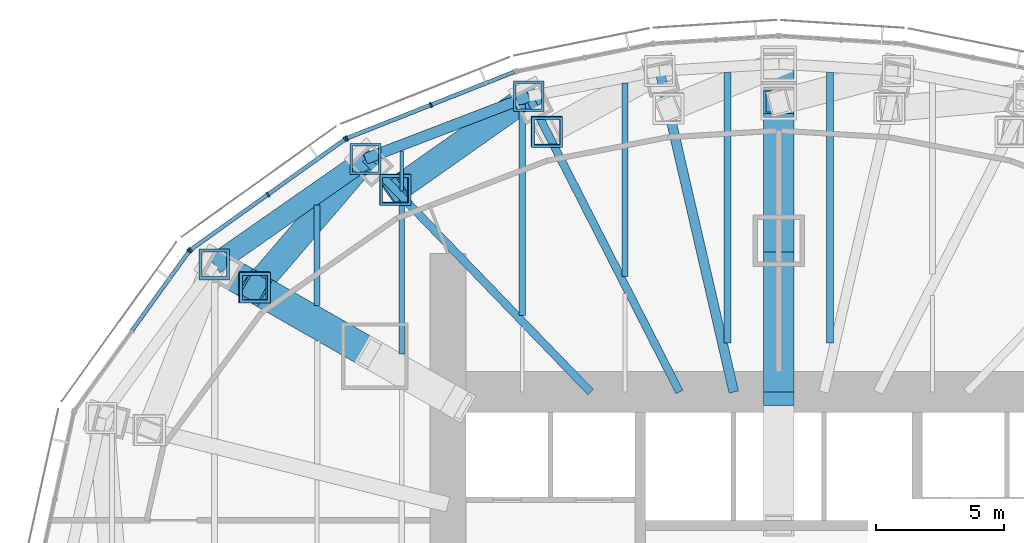
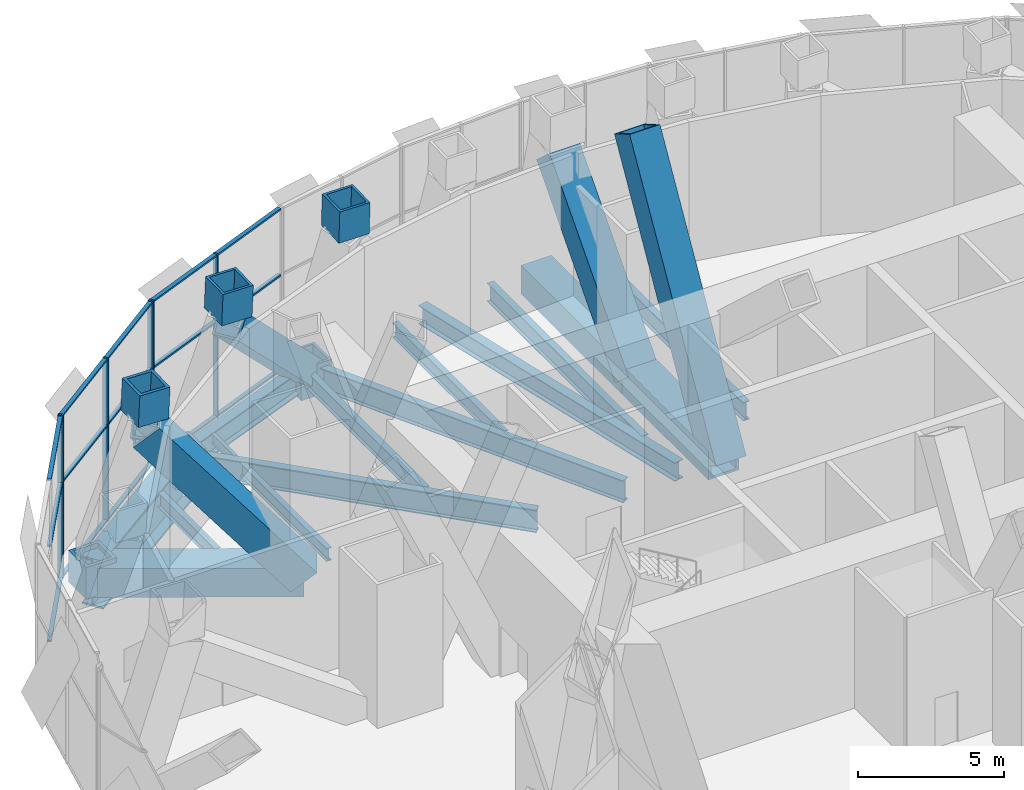
# One storey, part 8 of 19: 32 members, 15 beams, 3 elements without a shape of their own.
"""IFC4 building model written with IfcOpenShell, lengths in metres."""

from ifc_helpers import new_model, si_unit, direction, frame, origin, origin_2d, place, context, subcontext, project, spatial, rectangle, hollow_rectangle, i_section, extrude, material, material_profile, profile_set, type_object, element, aggregate, save


model = new_model("IFC4")

# Units and contexts
model_context = context("Model", 3, precision=1e-05, world=origin(), true_north=direction((0.0, 1.0)))
body_context = subcontext(model_context, "Body", "Model", "MODEL_VIEW")
ifc_project = project(units=[si_unit("LENGTHUNIT", "METRE"), si_unit("AREAUNIT", "SQUARE_METRE"), si_unit("VOLUMEUNIT", "CUBIC_METRE"), si_unit("PLANEANGLEUNIT", "RADIAN"), si_unit("MASSUNIT", "GRAM", prefix="KILO")], contexts=[model_context])

# Site, building, storey
site_placement = place(None, origin())
site = spatial("IfcSite", under=ifc_project, at=site_placement, CompositionType="ELEMENT")
building_placement = place(site_placement, origin())
building = spatial("IfcBuilding", under=site, at=building_placement, Name="Lantaw Convention Tower", CompositionType="ELEMENT")
storey_placement = place(building_placement, frame((0.0, 0.0, 193.0)))
storey = spatial("IfcBuildingStorey", under=building, at=storey_placement, Name="L45", CompositionType="ELEMENT", Elevation=193.0)

# Beams
ifc_material_1 = material(Name="Steel ASTM A572 Grade 50", Category="steel")
ifc_material_profile_1 = material_profile(ifc_material_1, i_section(OverallWidth=0.800048828125, OverallDepth=2.0, WebThickness=0.030029296875, FlangeThickness=0.080078125, at=origin_2d()), Name="PG2000X800X30X80")
ifc_profile_set_1 = profile_set([ifc_material_profile_1], Name="Steel ASTM A572 Grade 50")
beam_type_1 = type_object("IfcBeamType", Name="Beam BC PG2000X800X30X80", PredefinedType="SPANDREL", material=ifc_profile_set_1)
beam_1_placement = place(storey_placement, frame((-16.11767578125, 16.690185546875, -1.199951171875), z_axis=(-0.820310765287, -0.57191804339, 0.0), x_axis=(0.57191804339, -0.820310765287, 0.0)))
element("IfcBeam", 1, at=beam_1_placement, inside=storey, type_object=beam_type_1, Name="Belt truss chord 10", PredefinedType="SPANDREL", context=body_context, shape_type="SweptSolid", body=[
    extrude(i_section(OverallWidth=0.800048828125, OverallDepth=2.0, WebThickness=0.030029296875, FlangeThickness=0.080078125, at=origin_2d()), origin(), (0.0, 0.0, 1.0), 7.187744140625),
])
ifc_material_2 = material(Name="Steel ASTM A992", Category="steel")
ifc_material_profile_2 = material_profile(ifc_material_2, i_section(OverallWidth=0.424072265625, OverallDepth=0.947509765625, WebThickness=0.02392578125, FlangeThickness=0.042724609375, FilletRadius=0.012451171875, at=origin_2d()), Name="W36X302")
ifc_profile_set_2 = profile_set([ifc_material_profile_2], Name="Steel ASTM A992")
beam_type_2 = type_object("IfcBeamType", Name="Beam BC W36X302", PredefinedType="SPANDREL", material=ifc_profile_set_2)
beam_2_placement = place(storey_placement, frame((-9.74853515625, 19.1328125, -0.673828125), z_axis=(-0.933691081977, -0.358079549033, 0.0), x_axis=(0.358079549033, -0.933691081977, 0.0)))
element("IfcBeam", 2, at=beam_2_placement, inside=storey, type_object=beam_type_2, Name="Belt truss chord 9", PredefinedType="SPANDREL", context=body_context, shape_type="SweptSolid", body=[
    extrude(i_section(OverallWidth=0.424072265625, OverallDepth=0.947509765625, WebThickness=0.02392578125, FlangeThickness=0.042724609375, FilletRadius=0.012451171875, at=origin_2d()), origin(), (0.0, 0.0, 1.0), 6.821533203125),
])
ifc_material_3 = material(Name="Steel EN 10025-3 S460N", Category="steel")
ifc_material_profile_3 = material_profile(ifc_material_3, hollow_rectangle(XDim=1.199951171875, YDim=1.199951171875, WallThickness=0.10009765625, at=origin_2d()), Name="BOX1200X100")
ifc_profile_set_3 = profile_set([ifc_material_profile_3], Name="Steel EN 10025-3 S460N")
beam_type_3 = type_object("IfcBeamType", Name="Beam G BOX1200X100", PredefinedType="BEAM", material=ifc_profile_set_3)
beam_3_placement = place(storey_placement, frame((0.0, 13.5, -0.800048828125), z_axis=(0.0, 1.0, 0.0), x_axis=(-1.0, 0.0, 0.0)))
element("IfcBeam", 3, at=beam_3_placement, inside=storey, type_object=beam_type_3, Name="Floor girder on ray 7", PredefinedType="BEAM", context=body_context, shape_type="SweptSolid", body=[
    extrude(hollow_rectangle(XDim=1.199951171875, YDim=1.199951171875, WallThickness=0.10009765625, at=origin_2d()), origin(), (0.0, 0.0, 1.0), 6.89990234375),
])
beam_4_placement = place(storey_placement, frame((-15.75, 9.0, -0.800048828125), z_axis=(-0.868245224608, 0.496135293993, 0.0), x_axis=(-0.496135293993, -0.868245224608, 0.0)))
element("IfcBeam", 4, at=beam_4_placement, inside=storey, type_object=beam_type_3, Name="Floor girder on ray 11", PredefinedType="BEAM", context=body_context, shape_type="SweptSolid", body=[
    extrude(hollow_rectangle(XDim=1.199951171875, YDim=1.199951171875, WallThickness=0.10009765625, at=origin_2d()), origin(), (0.0, 0.0, 1.0), 7.21435546875),
])
ifc_material_profile_4 = material_profile(ifc_material_2, i_section(OverallWidth=0.381103515625, OverallDepth=0.772216796875, WebThickness=0.0166015625, FlangeThickness=0.027099609375, FilletRadius=0.0146484375, at=origin_2d()), Name="W30X173")
ifc_profile_set_4 = profile_set([ifc_material_profile_4], Name="Steel ASTM A992")
beam_type_4 = type_object("IfcBeamType", Name="Beam G W30X173", PredefinedType="BEAM", material=ifc_profile_set_4)
beam_5_placement = place(storey_placement, frame((-1.754638671875, 7.60009765625, -0.586181640625), z_axis=(-0.224944153104, 0.974371658036, 0.0), x_axis=(-0.974371658036, -0.224944153104, 0.0)))
element("IfcBeam", 5, at=beam_5_placement, inside=storey, type_object=beam_type_4, Name="Floor girder on ray 8", PredefinedType="BEAM", context=body_context, shape_type="SweptSolid", body=[
    extrude(i_section(OverallWidth=0.381103515625, OverallDepth=0.772216796875, WebThickness=0.0166015625, FlangeThickness=0.027099609375, FilletRadius=0.0146484375, at=origin_2d()), origin(), (0.0, 0.0, 1.0), 12.849365234375),
])
ifc_material_profile_5 = material_profile(ifc_material_2, i_section(OverallWidth=0.307373046875, OverallDepth=0.922119140625, WebThickness=0.018310546875, FlangeThickness=0.030029296875, FilletRadius=0.0126953125, at=origin_2d()), Name="W36X182")
ifc_profile_set_5 = profile_set([ifc_material_profile_5], Name="Steel ASTM A992")
beam_type_5 = type_object("IfcBeamType", Name="Beam G W36X182", PredefinedType="BEAM", material=ifc_profile_set_5)
beam_6_placement = place(storey_placement, frame((-3.872314453125, 7.60009765625, -0.660888671875), z_axis=(-0.453991051051, 0.891006243281, 0.0), x_axis=(-0.891006243281, -0.453991051051, 0.0)))
element("IfcBeam", 6, at=beam_6_placement, inside=storey, type_object=beam_type_5, Name="Floor girder on ray 9", PredefinedType="BEAM", context=body_context, shape_type="SweptSolid", body=[
    extrude(i_section(OverallWidth=0.307373046875, OverallDepth=0.922119140625, WebThickness=0.018310546875, FlangeThickness=0.030029296875, FilletRadius=0.0126953125, at=origin_2d()), origin(), (0.0, 0.0, 1.0), 12.943359375),
])
ifc_material_profile_6 = material_profile(ifc_material_2, i_section(OverallWidth=0.307373046875, OverallDepth=0.9423828125, WebThickness=0.022216796875, FlangeThickness=0.039794921875, FilletRadius=0.0126953125, at=origin_2d()), Name="W36X232")
ifc_profile_set_6 = profile_set([ifc_material_profile_6], Name="Steel ASTM A992")
beam_type_6 = type_object("IfcBeamType", Name="Beam G W36X232", PredefinedType="BEAM", material=ifc_profile_set_6)
beam_7_placement = place(storey_placement, frame((-7.33935546875, 7.60009765625, -0.671142578125), z_axis=(-0.694663467407, 0.719334878239, 0.0), x_axis=(-0.719334878239, -0.694663467407, 0.0)))
element("IfcBeam", 7, at=beam_7_placement, inside=storey, type_object=beam_type_6, Name="Floor girder on ray 10", PredefinedType="BEAM", context=body_context, shape_type="SweptSolid", body=[
    extrude(i_section(OverallWidth=0.307373046875, OverallDepth=0.9423828125, WebThickness=0.022216796875, FlangeThickness=0.039794921875, FilletRadius=0.0126953125, at=origin_2d()), origin(), (0.0, 0.0, 1.0), 12.63671875),
])
ifc_material_profile_7 = material_profile(ifc_material_2, i_section(OverallWidth=0.140380859375, OverallDepth=0.40380859375, WebThickness=0.007080078125, FlangeThickness=0.01123046875, FilletRadius=0.01025390625, at=origin_2d()), Name="W16X31")
ifc_profile_set_7 = profile_set([ifc_material_profile_7], Name="Steel ASTM A992")
beam_type_7 = type_object("IfcBeamType", Name="Beam J W16X31", PredefinedType="JOIST", material=ifc_profile_set_7)
beam_8_placement = place(storey_placement, frame((-14.699951171875, 15.443603515625, -0.40185546875), z_axis=(0.0, 1.0, 0.0), x_axis=(-1.0, 0.0, 0.0)))
element("IfcBeam", 8, at=beam_8_placement, inside=storey, type_object=beam_type_7, Name="Floor joist", PredefinedType="JOIST", context=body_context, shape_type="SweptSolid", body=[
    extrude(i_section(OverallWidth=0.140380859375, OverallDepth=0.40380859375, WebThickness=0.007080078125, FlangeThickness=0.01123046875, FilletRadius=0.01025390625, at=origin_2d()), origin(), (0.0, 0.0, 1.0), 1.563232421875),
])
ifc_material_profile_8 = material_profile(ifc_material_2, i_section(OverallWidth=0.2099609375, OverallDepth=0.535888671875, WebThickness=0.010986328125, FlangeThickness=0.017333984375, FilletRadius=0.012939453125, at=origin_2d()), Name="W21X68")
ifc_profile_set_8 = profile_set([ifc_material_profile_8], Name="Steel ASTM A992")
beam_type_8 = type_object("IfcBeamType", Name="Beam J W21X68", PredefinedType="JOIST", material=ifc_profile_set_8)
beam_9_placement = place(storey_placement, frame((-14.699951171875, 9.091064453125, -0.468017578125), z_axis=(0.0, 1.0, 0.0), x_axis=(-1.0, 0.0, 0.0)))
element("IfcBeam", 9, at=beam_9_placement, inside=storey, type_object=beam_type_8, Name="Floor joist", PredefinedType="JOIST", context=body_context, shape_type="SweptSolid", body=[
    extrude(i_section(OverallWidth=0.2099609375, OverallDepth=0.535888671875, WebThickness=0.010986328125, FlangeThickness=0.017333984375, FilletRadius=0.012939453125, at=origin_2d()), origin(), (0.0, 0.0, 1.0), 5.909912109375),
])
ifc_material_profile_9 = material_profile(ifc_material_2, i_section(OverallWidth=0.227783203125, OverallDepth=0.60205078125, WebThickness=0.010498046875, FlangeThickness=0.014892578125, FilletRadius=0.012939453125, at=origin_2d()), Name="W24X68")
ifc_profile_set_9 = profile_set([ifc_material_profile_9], Name="Steel ASTM A992")
beam_type_9 = type_object("IfcBeamType", Name="Beam J W24X68", PredefinedType="JOIST", material=ifc_profile_set_9)
beam_10_placement = place(storey_placement, frame((-18.0, 10.976806640625, -0.5009765625), z_axis=(0.0, 1.0, 0.0), x_axis=(-1.0, 0.0, 0.0)))
element("IfcBeam", 10, at=beam_10_placement, inside=storey, type_object=beam_type_9, Name="Floor joist", PredefinedType="JOIST", context=body_context, shape_type="SweptSolid", body=[
    extrude(i_section(OverallWidth=0.227783203125, OverallDepth=0.60205078125, WebThickness=0.010498046875, FlangeThickness=0.014892578125, FilletRadius=0.012939453125, at=origin_2d()), origin(), (0.0, 0.0, 1.0), 3.91357421875),
])
ifc_material_profile_10 = material_profile(ifc_material_2, i_section(OverallWidth=0.22900390625, OverallDepth=0.612060546875, WebThickness=0.011962890625, FlangeThickness=0.01953125, FilletRadius=0.0126953125, at=origin_2d()), Name="W24X84")
ifc_profile_set_10 = profile_set([ifc_material_profile_10], Name="Steel ASTM A992")
beam_type_10 = type_object("IfcBeamType", Name="Beam J W24X84", PredefinedType="JOIST", material=ifc_profile_set_10)
beam_11_placement = place(storey_placement, frame((-6.0, 12.1142578125, -0.506103515625), z_axis=(0.0, 1.0, 0.0), x_axis=(-1.0, 0.0, 0.0)))
element("IfcBeam", 11, at=beam_11_placement, inside=storey, type_object=beam_type_10, Name="Floor joist", PredefinedType="JOIST", context=body_context, shape_type="SweptSolid", body=[
    extrude(i_section(OverallWidth=0.22900390625, OverallDepth=0.612060546875, WebThickness=0.011962890625, FlangeThickness=0.01953125, FilletRadius=0.0126953125, at=origin_2d()), origin(), (0.0, 0.0, 1.0), 7.527587890625),
])
ifc_material_profile_11 = material_profile(ifc_material_2, i_section(OverallWidth=0.25390625, OverallDepth=0.683349609375, WebThickness=0.012451171875, FlangeThickness=0.01904296875, FilletRadius=0.01513671875, at=origin_2d()), Name="W27X94")
ifc_profile_set_11 = profile_set([ifc_material_profile_11], Name="Steel ASTM A992")
beam_type_11 = type_object("IfcBeamType", Name="Beam J W27X94", PredefinedType="JOIST", material=ifc_profile_set_11)
beam_12_placement = place(storey_placement, frame((-10.0, 10.576416015625, -0.541748046875), z_axis=(0.0, 1.0, 0.0), x_axis=(-1.0, 0.0, 0.0)))
element("IfcBeam", 12, at=beam_12_placement, inside=storey, type_object=beam_type_11, Name="Floor joist", PredefinedType="JOIST", context=body_context, shape_type="SweptSolid", body=[
    extrude(i_section(OverallWidth=0.25390625, OverallDepth=0.683349609375, WebThickness=0.012451171875, FlangeThickness=0.01904296875, FilletRadius=0.01513671875, at=origin_2d()), origin(), (0.0, 0.0, 1.0), 8.232666015625),
])
ifc_material_profile_12 = material_profile(ifc_material_2, i_section(OverallWidth=0.2666015625, OverallDepth=0.76953125, WebThickness=0.015625, FlangeThickness=0.025390625, FilletRadius=0.0126953125, at=origin_2d()), Name="W30X132")
ifc_profile_set_12 = profile_set([ifc_material_profile_12], Name="Steel ASTM A992")
beam_type_12 = type_object("IfcBeamType", Name="Beam J W30X132", PredefinedType="JOIST", material=ifc_profile_set_12)
for number, where, z_axis, x_axis, name in (
    (13, (-2.0, 9.509765625, -0.584716796875), (0.0, 1.0, 0.0), (-1.0, 0.0, 0.0), "Floor joist"),
    (14, (2.0, 9.509765625, -0.584716796875), (0.0, 1.0, 0.0), (-1.0, 0.0, 0.0), "Floor joist"),
):
    element("IfcBeam", number, at=place(storey_placement, frame(where, z_axis=z_axis, x_axis=x_axis)), inside=storey, type_object=beam_type_12, Name=name, PredefinedType="JOIST", context=body_context, shape_type="SweptSolid", body=[
        extrude(i_section(OverallWidth=0.2666015625, OverallDepth=0.76953125, WebThickness=0.015625, FlangeThickness=0.025390625, FilletRadius=0.0126953125, at=origin_2d()), origin(), (0.0, 0.0, 1.0), 10.55712890625),
    ])
ifc_material_profile_13 = material_profile(ifc_material_3, hollow_rectangle(XDim=1.199951171875, YDim=1.199951171875, WallThickness=0.10009765625, at=origin_2d()), Name="BOX1200X100")
ifc_profile_set_13 = profile_set([ifc_material_profile_13], Name="Steel EN 10025-3 S460N")
beam_type_13 = type_object("IfcBeamType", Name="Beam OC BOX1200X100", PredefinedType="BEAM", material=ifc_profile_set_13)
beam_13_placement = place(storey_placement, frame((0.0, 7.60009765625, -0.800048828125), z_axis=(0.0, 1.0, 0.0), x_axis=(-1.0, 0.0, 0.0)))
element("IfcBeam", 15, at=beam_13_placement, inside=storey, type_object=beam_type_13, Name="Outrigger chord on ray 7", PredefinedType="BEAM", context=body_context, shape_type="SweptSolid", body=[
    extrude(hollow_rectangle(XDim=1.199951171875, YDim=1.199951171875, WallThickness=0.10009765625, at=origin_2d()), origin(), (0.0, 0.0, 1.0), 5.89990234375),
])

# Curtain wall, members
ifc_material_4 = material(Name="Aluminium framed curtain wall", Category="aluminium")
curtain_wall_type = type_object("IfcCurtainWallType", Name="Plant floor louvre wall, pale aluminium", PredefinedType="USERDEFINED", material=ifc_material_4)
curtain_wall_1_placement = place(storey_placement, origin())
curtain_wall_1 = element("IfcCurtainWall", 16, at=curtain_wall_1_placement, inside=storey, type_object=curtain_wall_type, Name="Plant floor louvre wall, pale aluminium L45", ObjectType="LOUVRE WALL", PredefinedType="USERDEFINED")
ifc_material_5 = material(Name="Aluminium 6063-T6", Category="aluminium")
ifc_material_profile_14 = material_profile(ifc_material_5, rectangle(XDim=0.199951171875, YDim=0.070068359375, at=origin_2d()), Name="CW-LV mullion 70x200")
ifc_profile_set_14 = profile_set([ifc_material_profile_14], Name="Aluminium 6063-T6")
member_type_1 = type_object("IfcMemberType", Name="CW-LV mullion 70x200", PredefinedType="MULLION", material=ifc_profile_set_14)
member_1_placement = place(storey_placement, frame((-13.56494140625, 18.797119140625, -1.0), z_axis=(0.0, 0.0, 1.0), x_axis=(0.368701907483, -0.929547687544, 0.0)))
member_1 = element("IfcMember", 17, at=member_1_placement, type_object=member_type_1, Name="CW-LV mullion 2", PredefinedType="MULLION", context=body_context, shape_type="SweptSolid", body=[
    extrude(rectangle(XDim=0.199951171875, YDim=0.070068359375, at=origin_2d()), origin(), (0.0, 0.0, 1.0), 6.800048828125),
])
member_2_placement = place(storey_placement, frame((-16.84912109375, 17.494384765625, -1.0), z_axis=(0.0, 0.0, 1.0), x_axis=(0.368701907483, -0.929547687544, 0.0)))
member_2 = element("IfcMember", 18, at=member_2_placement, type_object=member_type_1, Name="CW-LV mullion 3", PredefinedType="MULLION", context=body_context, shape_type="SweptSolid", body=[
    extrude(rectangle(XDim=0.199951171875, YDim=0.070068359375, at=origin_2d()), origin(), (0.0, 0.0, 1.0), 6.800048828125),
])

curtain_wall_2_placement = place(storey_placement, origin())
curtain_wall_2 = element("IfcCurtainWall", 19, at=curtain_wall_2_placement, inside=storey, type_object=curtain_wall_type, Name="Plant floor louvre wall, pale aluminium L45", ObjectType="LOUVRE WALL", PredefinedType="USERDEFINED")
member_3_placement = place(storey_placement, frame((-16.91015625, 17.461181640625, -1.0), z_axis=(0.0, 0.0, 1.0), x_axis=(0.581972695693, -0.813208325995, 0.0)))
member_3 = element("IfcMember", 20, at=member_3_placement, type_object=member_type_1, Name="CW-LV mullion 1", PredefinedType="MULLION", context=body_context, shape_type="SweptSolid", body=[
    extrude(rectangle(XDim=0.199951171875, YDim=0.070068359375, at=origin_2d()), origin(), (0.0, 0.0, 1.0), 6.800048828125),
])
member_4_placement = place(storey_placement, frame((-19.92529296875, 15.303466796875, -1.0), z_axis=(0.0, 0.0, 1.0), x_axis=(0.581972695693, -0.813208325995, 0.0)))
member_4 = element("IfcMember", 21, at=member_4_placement, type_object=member_type_1, Name="CW-LV mullion 2", PredefinedType="MULLION", context=body_context, shape_type="SweptSolid", body=[
    extrude(rectangle(XDim=0.199951171875, YDim=0.070068359375, at=origin_2d()), origin(), (0.0, 0.0, 1.0), 6.800048828125),
])
member_5_placement = place(storey_placement, frame((-22.940673828125, 13.1455078125, -1.0), z_axis=(0.0, 0.0, 1.0), x_axis=(0.581972695693, -0.813208325995, 0.0)))
member_5 = element("IfcMember", 22, at=member_5_placement, type_object=member_type_1, Name="CW-LV mullion 3", PredefinedType="MULLION", context=body_context, shape_type="SweptSolid", body=[
    extrude(rectangle(XDim=0.199951171875, YDim=0.070068359375, at=origin_2d()), origin(), (0.0, 0.0, 1.0), 6.800048828125),
])

# Curtain wall, member
curtain_wall_3_placement = place(storey_placement, origin())
curtain_wall_3 = element("IfcCurtainWall", 23, at=curtain_wall_3_placement, inside=storey, type_object=curtain_wall_type, Name="Plant floor louvre wall, pale aluminium L45", ObjectType="LOUVRE WALL", PredefinedType="USERDEFINED")
member_6_placement = place(storey_placement, frame((-22.989501953125, 13.0966796875, -1.0), z_axis=(0.0, 0.0, 1.0), x_axis=(0.811384633629, -0.584512597221, 0.0)))
member_6 = element("IfcMember", 24, at=member_6_placement, type_object=member_type_1, Name="CW-LV mullion 1", PredefinedType="MULLION", context=body_context, shape_type="SweptSolid", body=[
    extrude(rectangle(XDim=0.199951171875, YDim=0.070068359375, at=origin_2d()), origin(), (0.0, 0.0, 1.0), 6.800048828125),
])

# Member
ifc_material_profile_15 = material_profile(ifc_material_5, rectangle(XDim=0.159912109375, YDim=0.070068359375, at=origin_2d()), Name="CW-LV transom 70x160")
ifc_profile_set_15 = profile_set([ifc_material_profile_15], Name="Aluminium 6063-T6")
member_type_2 = type_object("IfcMemberType", Name="CW-LV transom 70x160", PredefinedType="USERDEFINED", material=ifc_profile_set_15)
member_7_placement = place(storey_placement, frame((-10.31298828125, 20.0869140625, -0.965087890625), z_axis=(-0.929552078691, -0.368690836611, 0.0), x_axis=(0.368690836611, -0.929552078691, 0.0)))
member_7 = element("IfcMember", 25, at=member_7_placement, type_object=member_type_2, Name="CW-LV transom 1.1", ObjectType="TRANSOM", PredefinedType="USERDEFINED", context=body_context, shape_type="SweptSolid", body=[
    extrude(rectangle(XDim=0.159912109375, YDim=0.070068359375, at=origin_2d()), origin(), (0.0, 0.0, 1.0), 3.463134765625),
])

member_8_placement = place(storey_placement, frame((-10.31298828125, 20.0869140625, 3.0), z_axis=(-0.929552078691, -0.368690836611, 0.0), x_axis=(0.368690836611, -0.929552078691, 0.0)))
member_8 = element("IfcMember", 26, at=member_8_placement, type_object=member_type_2, Name="CW-LV transom 1.2", ObjectType="TRANSOM", PredefinedType="USERDEFINED", context=body_context, shape_type="SweptSolid", body=[
    extrude(rectangle(XDim=0.159912109375, YDim=0.070068359375, at=origin_2d()), origin(), (0.0, 0.0, 1.0), 3.463134765625),
])

member_9_placement = place(storey_placement, frame((-10.31298828125, 20.0869140625, 5.764892578125), z_axis=(-0.929552078691, -0.368690836611, 0.0), x_axis=(0.368690836611, -0.929552078691, 0.0)))
member_9 = element("IfcMember", 27, at=member_9_placement, type_object=member_type_2, Name="CW-LV transom 1.3", ObjectType="TRANSOM", PredefinedType="USERDEFINED", context=body_context, shape_type="SweptSolid", body=[
    extrude(rectangle(XDim=0.159912109375, YDim=0.070068359375, at=origin_2d()), origin(), (0.0, 0.0, 1.0), 3.463134765625),
])

member_10_placement = place(storey_placement, frame((-13.597412109375, 18.7841796875, -0.965087890625), z_axis=(-0.929552078691, -0.368690836611, 0.0), x_axis=(0.368690836611, -0.929552078691, 0.0)))
member_10 = element("IfcMember", 28, at=member_10_placement, type_object=member_type_2, Name="CW-LV transom 2.1", ObjectType="TRANSOM", PredefinedType="USERDEFINED", context=body_context, shape_type="SweptSolid", body=[
    extrude(rectangle(XDim=0.159912109375, YDim=0.070068359375, at=origin_2d()), origin(), (0.0, 0.0, 1.0), 3.463134765625),
])

member_11_placement = place(storey_placement, frame((-13.597412109375, 18.7841796875, 3.0), z_axis=(-0.929552078691, -0.368690836611, 0.0), x_axis=(0.368690836611, -0.929552078691, 0.0)))
member_11 = element("IfcMember", 29, at=member_11_placement, type_object=member_type_2, Name="CW-LV transom 2.2", ObjectType="TRANSOM", PredefinedType="USERDEFINED", context=body_context, shape_type="SweptSolid", body=[
    extrude(rectangle(XDim=0.159912109375, YDim=0.070068359375, at=origin_2d()), origin(), (0.0, 0.0, 1.0), 3.463134765625),
])

member_12_placement = place(storey_placement, frame((-13.597412109375, 18.7841796875, 5.764892578125), z_axis=(-0.929552078691, -0.368690836611, 0.0), x_axis=(0.368690836611, -0.929552078691, 0.0)))
member_12 = element("IfcMember", 30, at=member_12_placement, type_object=member_type_2, Name="CW-LV transom 2.3", ObjectType="TRANSOM", PredefinedType="USERDEFINED", context=body_context, shape_type="SweptSolid", body=[
    extrude(rectangle(XDim=0.159912109375, YDim=0.070068359375, at=origin_2d()), origin(), (0.0, 0.0, 1.0), 3.463134765625),
])

aggregate(curtain_wall_1, [member_1, member_2, member_7, member_8, member_9, member_10, member_11, member_12])

member_13_placement = place(storey_placement, frame((-16.938720703125, 17.44091796875, -0.965087890625), z_axis=(-0.813193505493, -0.581993404278, 0.0), x_axis=(0.581993404278, -0.813193505493, 0.0)))
member_13 = element("IfcMember", 31, at=member_13_placement, type_object=member_type_2, Name="CW-LV transom 1.1", ObjectType="TRANSOM", PredefinedType="USERDEFINED", context=body_context, shape_type="SweptSolid", body=[
    extrude(rectangle(XDim=0.159912109375, YDim=0.070068359375, at=origin_2d()), origin(), (0.0, 0.0, 1.0), 3.637939453125),
])

member_14_placement = place(storey_placement, frame((-16.938720703125, 17.44091796875, 3.0), z_axis=(-0.813193505493, -0.581993404278, 0.0), x_axis=(0.581993404278, -0.813193505493, 0.0)))
member_14 = element("IfcMember", 32, at=member_14_placement, type_object=member_type_2, Name="CW-LV transom 1.2", ObjectType="TRANSOM", PredefinedType="USERDEFINED", context=body_context, shape_type="SweptSolid", body=[
    extrude(rectangle(XDim=0.159912109375, YDim=0.070068359375, at=origin_2d()), origin(), (0.0, 0.0, 1.0), 3.637939453125),
])

member_15_placement = place(storey_placement, frame((-16.938720703125, 17.44091796875, 5.764892578125), z_axis=(-0.813193505493, -0.581993404278, 0.0), x_axis=(0.581993404278, -0.813193505493, 0.0)))
member_15 = element("IfcMember", 33, at=member_15_placement, type_object=member_type_2, Name="CW-LV transom 1.3", ObjectType="TRANSOM", PredefinedType="USERDEFINED", context=body_context, shape_type="SweptSolid", body=[
    extrude(rectangle(XDim=0.159912109375, YDim=0.070068359375, at=origin_2d()), origin(), (0.0, 0.0, 1.0), 3.637939453125),
])

member_16_placement = place(storey_placement, frame((-19.953857421875, 15.282958984375, -0.965087890625), z_axis=(-0.813225267736, -0.58194902175, 0.0), x_axis=(0.58194902175, -0.813225267736, 0.0)))
member_16 = element("IfcMember", 34, at=member_16_placement, type_object=member_type_2, Name="CW-LV transom 2.1", ObjectType="TRANSOM", PredefinedType="USERDEFINED", context=body_context, shape_type="SweptSolid", body=[
    extrude(rectangle(XDim=0.159912109375, YDim=0.070068359375, at=origin_2d()), origin(), (0.0, 0.0, 1.0), 3.6376953125),
])

member_17_placement = place(storey_placement, frame((-19.953857421875, 15.282958984375, 3.0), z_axis=(-0.813225267736, -0.58194902175, 0.0), x_axis=(0.58194902175, -0.813225267736, 0.0)))
member_17 = element("IfcMember", 35, at=member_17_placement, type_object=member_type_2, Name="CW-LV transom 2.2", ObjectType="TRANSOM", PredefinedType="USERDEFINED", context=body_context, shape_type="SweptSolid", body=[
    extrude(rectangle(XDim=0.159912109375, YDim=0.070068359375, at=origin_2d()), origin(), (0.0, 0.0, 1.0), 3.6376953125),
])

member_18_placement = place(storey_placement, frame((-19.953857421875, 15.282958984375, 5.764892578125), z_axis=(-0.813225267736, -0.58194902175, 0.0), x_axis=(0.58194902175, -0.813225267736, 0.0)))
member_18 = element("IfcMember", 36, at=member_18_placement, type_object=member_type_2, Name="CW-LV transom 2.3", ObjectType="TRANSOM", PredefinedType="USERDEFINED", context=body_context, shape_type="SweptSolid", body=[
    extrude(rectangle(XDim=0.159912109375, YDim=0.070068359375, at=origin_2d()), origin(), (0.0, 0.0, 1.0), 3.6376953125),
])

aggregate(curtain_wall_2, [member_3, member_4, member_5, member_13, member_14, member_15, member_16, member_17, member_18])

member_19_placement = place(storey_placement, frame((-23.010009765625, 13.068359375, -0.965087890625), z_axis=(-0.584513390493, -0.811384062164, 0.0), x_axis=(0.811384062164, -0.584513390493, 0.0)))
member_19 = element("IfcMember", 37, at=member_19_placement, type_object=member_type_2, Name="CW-LV transom 1.1", ObjectType="TRANSOM", PredefinedType="USERDEFINED", context=body_context, shape_type="SweptSolid", body=[
    extrude(rectangle(XDim=0.159912109375, YDim=0.070068359375, at=origin_2d()), origin(), (0.0, 0.0, 1.0), 3.760009765625),
])

member_20_placement = place(storey_placement, frame((-23.010009765625, 13.068359375, 3.0), z_axis=(-0.584513390493, -0.811384062164, 0.0), x_axis=(0.811384062164, -0.584513390493, 0.0)))
member_20 = element("IfcMember", 38, at=member_20_placement, type_object=member_type_2, Name="CW-LV transom 1.2", ObjectType="TRANSOM", PredefinedType="USERDEFINED", context=body_context, shape_type="SweptSolid", body=[
    extrude(rectangle(XDim=0.159912109375, YDim=0.070068359375, at=origin_2d()), origin(), (0.0, 0.0, 1.0), 3.760009765625),
])

member_21_placement = place(storey_placement, frame((-23.010009765625, 13.068359375, 5.764892578125), z_axis=(-0.584513390493, -0.811384062164, 0.0), x_axis=(0.811384062164, -0.584513390493, 0.0)))
member_21 = element("IfcMember", 39, at=member_21_placement, type_object=member_type_2, Name="CW-LV transom 1.3", ObjectType="TRANSOM", PredefinedType="USERDEFINED", context=body_context, shape_type="SweptSolid", body=[
    extrude(rectangle(XDim=0.159912109375, YDim=0.070068359375, at=origin_2d()), origin(), (0.0, 0.0, 1.0), 3.760009765625),
])

aggregate(curtain_wall_3, [member_6, member_19, member_20, member_21])

# Members
ifc_material_profile_16 = material_profile(ifc_material_1, hollow_rectangle(XDim=1.0, YDim=1.0, WallThickness=0.080078125, at=origin_2d()), Name="BOX1000X80")
ifc_profile_set_16 = profile_set([ifc_material_profile_16], Name="Steel ASTM A572 Grade 50")
member_type_3 = type_object("IfcMemberType", Name="Member BT BOX1000X80", PredefinedType="BRACE", material=ifc_profile_set_16)
member_22_placement = place(storey_placement, frame((-9.74853515625, 19.1328125, -0.673828125), z_axis=(-0.592206718593, -0.416871010772, 0.689572159264), x_axis=(0.575616177296, -0.817720011028, 0.0)))
element("IfcMember", 40, at=member_22_placement, inside=storey, type_object=member_type_3, Name="Belt truss diagonal 9", PredefinedType="BRACE", context=body_context, shape_type="SweptSolid", body=[
    extrude(hollow_rectangle(XDim=1.0, YDim=1.0, WallThickness=0.080078125, at=origin_2d()), origin(), (0.0, 0.0, 1.0), 8.773681640625),
])
member_23_placement = place(storey_placement, frame((-16.11767578125, 16.690185546875, -0.673828125), z_axis=(-0.480347286752, -0.56004653036, 0.674992124355), x_axis=(0.759050697742, -0.651031518636, 0.0)))
element("IfcMember", 41, at=member_23_placement, inside=storey, type_object=member_type_3, Name="Belt truss diagonal 10", PredefinedType="BRACE", context=body_context, shape_type="SweptSolid", body=[
    extrude(hollow_rectangle(XDim=1.0, YDim=1.0, WallThickness=0.080078125, at=origin_2d()), origin(), (0.0, 0.0, 1.0), 8.963134765625),
])
ifc_material_6 = material(Name="Cast steel ASTM A148 Grade 80-50", Category="steel")
ifc_material_profile_17 = material_profile(ifc_material_6, hollow_rectangle(XDim=1.199951171875, YDim=1.199951171875, WallThickness=0.10009765625, at=origin_2d()), Name="BOX1200X100")
ifc_profile_set_17 = profile_set([ifc_material_profile_17], Name="Cast steel ASTM A148 Grade 80-50")
member_type_4 = type_object("IfcMemberType", Name="Member CN BOX1200X100", PredefinedType="USERDEFINED", material=ifc_profile_set_17)
member_24_placement = place(storey_placement, frame((-9.74853515625, 19.1328125, -1.320068359375), z_axis=(0.0, 0.0, 1.0), x_axis=(1.0, 0.0, 0.0)))
element("IfcMember", 42, at=member_24_placement, inside=storey, type_object=member_type_4, Name="Cast steel column node", ObjectType="COLUMN NODE", PredefinedType="USERDEFINED", context=body_context, shape_type="SweptSolid", body=[
    extrude(hollow_rectangle(XDim=1.199951171875, YDim=1.199951171875, WallThickness=0.10009765625, at=origin_2d()), origin(), (0.0, 0.0, 1.0), 1.320068359375),
])
member_25_placement = place(storey_placement, frame((-9.05322265625, 17.767822265625, 5.844970703125), z_axis=(0.014051729303, -0.027548785081, 0.999521692283), x_axis=(0.999901172454, 0.000827736643, -0.014034250157)))
element("IfcMember", 43, at=member_25_placement, inside=storey, type_object=member_type_4, Name="Cast steel column node", ObjectType="COLUMN NODE", PredefinedType="USERDEFINED", context=body_context, shape_type="SweptSolid", body=[
    extrude(hollow_rectangle(XDim=1.199951171875, YDim=1.199951171875, WallThickness=0.10009765625, at=origin_2d()), origin(), (0.0, 0.0, 1.0), 1.320556640625),
])
member_26_placement = place(storey_placement, frame((-16.11767578125, 16.690185546875, -1.320068359375), z_axis=(0.0, 0.0, 1.0), x_axis=(1.0, 0.0, 0.0)))
element("IfcMember", 44, at=member_26_placement, inside=storey, type_object=member_type_4, Name="Cast steel column node", ObjectType="COLUMN NODE", PredefinedType="USERDEFINED", context=body_context, shape_type="SweptSolid", body=[
    extrude(hollow_rectangle(XDim=1.199951171875, YDim=1.199951171875, WallThickness=0.10009765625, at=origin_2d()), origin(), (0.0, 0.0, 1.0), 1.320068359375),
])
member_27_placement = place(storey_placement, frame((-14.976806640625, 15.509033203125, 5.83447265625), z_axis=(0.02458230535, -0.025506452167, 0.99937236862), x_axis=(0.999697322822, -0.000359191434, -0.024599465943)))
element("IfcMember", 45, at=member_27_placement, inside=storey, type_object=member_type_4, Name="Cast steel column node", ObjectType="COLUMN NODE", PredefinedType="USERDEFINED", context=body_context, shape_type="SweptSolid", body=[
    extrude(hollow_rectangle(XDim=1.199951171875, YDim=1.199951171875, WallThickness=0.10009765625, at=origin_2d()), origin(), (0.0, 0.0, 1.0), 1.32080078125),
])
ifc_material_profile_18 = material_profile(ifc_material_6, hollow_rectangle(XDim=1.199951171875, YDim=1.199951171875, WallThickness=0.1201171875, at=origin_2d()), Name="BOX1200X120")
ifc_profile_set_18 = profile_set([ifc_material_profile_18], Name="Cast steel ASTM A148 Grade 80-50")
member_type_5 = type_object("IfcMemberType", Name="Member CN BOX1200X120", PredefinedType="USERDEFINED", material=ifc_profile_set_18)
member_28_placement = place(storey_placement, frame((-22.013916015625, 12.579345703125, -1.320068359375), z_axis=(0.0, 0.0, 1.0), x_axis=(1.0, 0.0, 0.0)))
element("IfcMember", 46, at=member_28_placement, inside=storey, type_object=member_type_5, Name="Cast steel column node", ObjectType="COLUMN NODE", PredefinedType="USERDEFINED", context=body_context, shape_type="SweptSolid", body=[
    extrude(hollow_rectangle(XDim=1.199951171875, YDim=1.199951171875, WallThickness=0.1201171875, at=origin_2d()), origin(), (0.0, 0.0, 1.0), 1.320068359375),
])
member_29_placement = place(storey_placement, frame((-20.47021484375, 11.697265625, 5.82177734375), z_axis=(0.035664382557, -0.020326850162, 0.999157080233), x_axis=(0.999363186603, 0.001854198183, -0.035634017609)))
element("IfcMember", 47, at=member_29_placement, inside=storey, type_object=member_type_5, Name="Cast steel column node", ObjectType="COLUMN NODE", PredefinedType="USERDEFINED", context=body_context, shape_type="SweptSolid", body=[
    extrude(hollow_rectangle(XDim=1.199951171875, YDim=1.199951171875, WallThickness=0.1201171875, at=origin_2d()), origin(), (0.0, 0.0, 1.0), 1.3212890625),
])
ifc_material_profile_19 = material_profile(ifc_material_3, hollow_rectangle(XDim=1.199951171875, YDim=1.199951171875, WallThickness=0.10009765625, at=origin_2d()), Name="BOX1200X100")
ifc_profile_set_19 = profile_set([ifc_material_profile_19], Name="Steel EN 10025-3 S460N")
member_type_6 = type_object("IfcMemberType", Name="Member OT BOX1200X100", PredefinedType="BRACE", material=ifc_profile_set_19)
member_30_placement = place(storey_placement, frame((0.0, 7.60009765625, -0.800048828125), z_axis=(0.0, 0.498862022955, 0.866681419008), x_axis=(-1.0, 0.0, 0.0)))
element("IfcMember", 48, at=member_30_placement, inside=storey, type_object=member_type_6, Name="Outrigger diagonal 7", PredefinedType="BRACE", context=body_context, shape_type="SweptSolid", body=[
    extrude(hollow_rectangle(XDim=1.199951171875, YDim=1.199951171875, WallThickness=0.10009765625, at=origin_2d()), origin(), (0.0, 0.0, 1.0), 11.82666015625),
])
member_31_placement = place(storey_placement, frame((0.0, 13.5, -0.800048828125), z_axis=(0.0, 0.665883540495, 0.746055702008), x_axis=(-1.0, 0.0, 0.0)))
element("IfcMember", 49, at=member_31_placement, inside=storey, type_object=member_type_6, Name="Outrigger diagonal 7 (outer)", PredefinedType="BRACE", context=body_context, shape_type="SweptSolid", body=[
    extrude(hollow_rectangle(XDim=1.199951171875, YDim=1.199951171875, WallThickness=0.10009765625, at=origin_2d()), origin(), (0.0, 0.0, 1.0), 8.109375),
])
member_32_placement = place(storey_placement, frame((-15.75, 9.0, -0.800048828125), z_axis=(-0.577092519306, 0.329775768046, 0.747135976225), x_axis=(-0.496148708192, -0.868237559289, 0.0)))
element("IfcMember", 50, at=member_32_placement, inside=storey, type_object=member_type_6, Name="Outrigger diagonal 11 (outer)", PredefinedType="BRACE", context=body_context, shape_type="SweptSolid", body=[
    extrude(hollow_rectangle(XDim=1.199951171875, YDim=1.199951171875, WallThickness=0.10009765625, at=origin_2d()), origin(), (0.0, 0.0, 1.0), 8.09765625),
])

save(model, "model.ifc")
